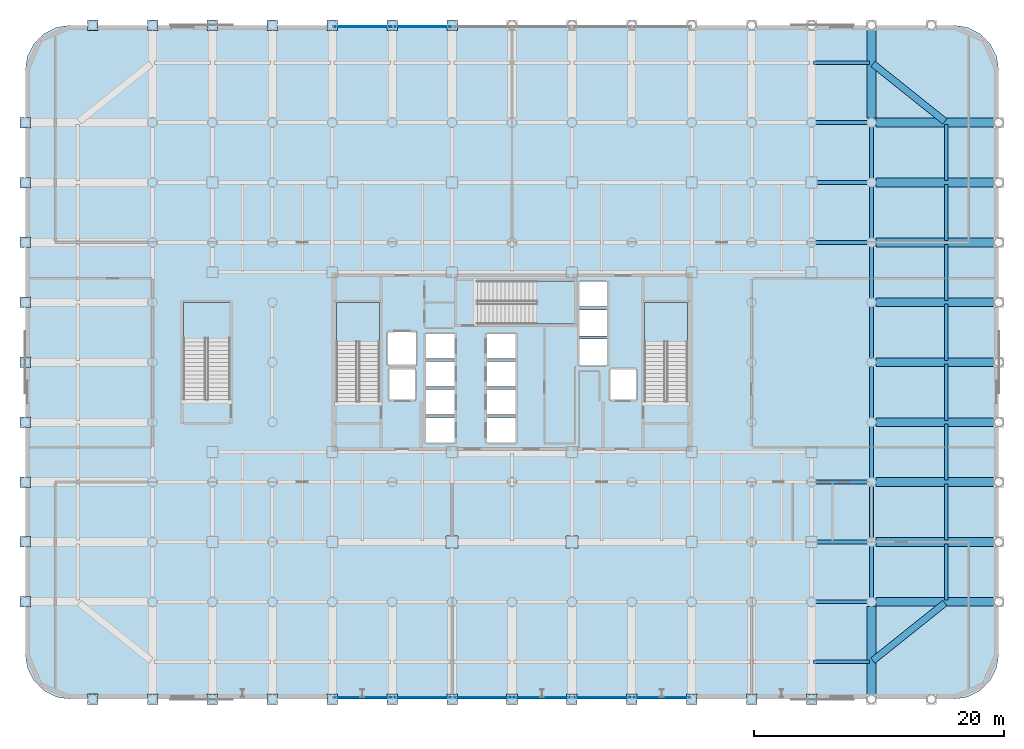
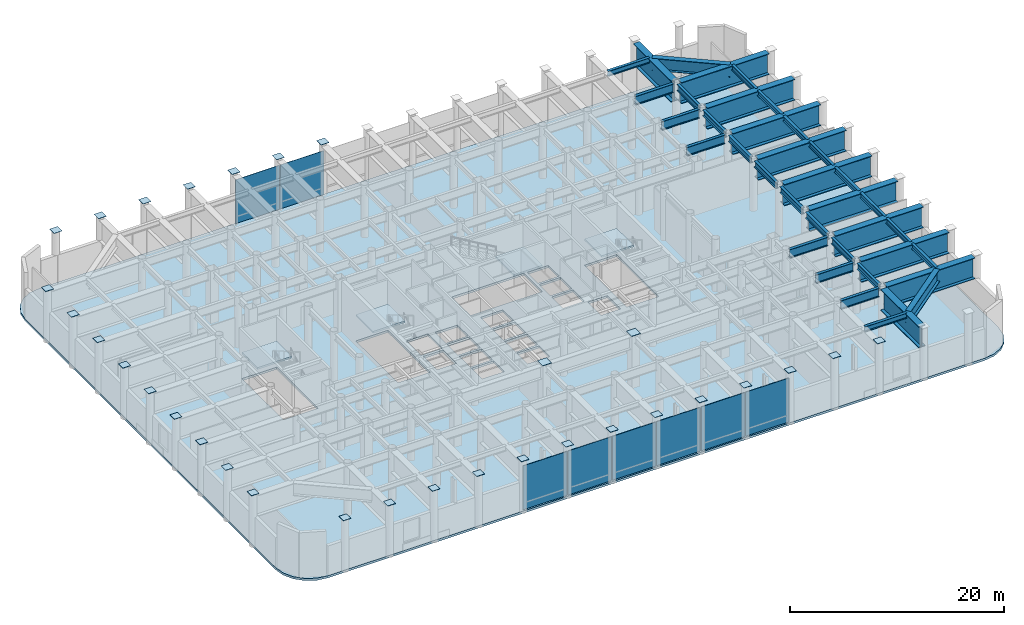
# One storey, part 14 of 26: 39 plates, 37 beams, 5 slabs, 8 elements without a shape of their own.
"""IFC4 building model written with IfcOpenShell, lengths in metres."""

import ifcopenshell
import ifcopenshell.guid

model = None  # the IFC model being written
_history = None  # IfcOwnerHistory: only IFC2X3 demands one
_inside = {}  # id of a spatial element -> (the spatial element, [elements in it])
_under = {}  # id of a project, library or spatial element -> (it, [spatial elements below it])
_declared = {}  # id of a project -> (the project, [libraries it declares])
_typed = {}  # id of a type object -> (the type object, [elements of that type])
_made_of = {}  # id of a material, layer set ... -> (it, [elements and type objects made of it])


def new_model(schema):
    """Start an empty IFC model of exactly this schema.

    Asked for "IFC4X3", IfcOpenShell would pick the latest addendum, in which some entities
    have other attributes; the version numbers below select the first issue.
    IFC2X3 requires an IfcOwnerHistory on every rooted entity: one is made here for all.
    """
    global model, _history
    if schema == "IFC4X3":
        model = ifcopenshell.file(schema_version=(4, 3, 0, 0))
    else:
        model = ifcopenshell.file(schema=schema)
    _inside.clear()
    _under.clear()
    _declared.clear()
    _typed.clear()
    _made_of.clear()
    _history = None
    if model.schema == "IFC2X3":
        org = make("IfcOrganization", Name="unknown")
        user = make(
            "IfcPersonAndOrganization",
            ThePerson=make("IfcPerson", FamilyName="unknown"),
            TheOrganization=org,
        )
        app = make(
            "IfcApplication",
            ApplicationDeveloper=org,
            Version="unknown",
            ApplicationFullName="unknown",
            ApplicationIdentifier="unknown",
        )
        _history = make(
            "IfcOwnerHistory",
            OwningUser=user,
            OwningApplication=app,
            ChangeAction="ADDED",
            CreationDate=0,
        )
    return model


def make(cls, **values):
    """One entity of the class cls with the attributes given. An attribute that is None is left unset."""
    return model.create_entity(
        cls, **{name: value for name, value in values.items() if value is not None}
    )


def rooted(cls, **values):
    """An entity with a GlobalId (a new one), such as an element, a storey or a relation."""
    return make(cls, GlobalId=ifcopenshell.guid.new(), OwnerHistory=_history, **values)


def si_unit(unit_type, name, prefix=None):
    """IfcSIUnit, for example si_unit("LENGTHUNIT", "METRE", prefix="MILLI")."""
    return make("IfcSIUnit", UnitType=unit_type, Prefix=prefix, Name=name)


def assignment(units):
    """IfcUnitAssignment: the units of a project."""
    return None if units is None else make("IfcUnitAssignment", Units=units)


def point(xyz):
    """IfcCartesianPoint."""
    return None if xyz is None else make("IfcCartesianPoint", Coordinates=xyz)


def direction(xyz):
    """IfcDirection."""
    return None if xyz is None else make("IfcDirection", DirectionRatios=xyz)


def frame(location, z_axis=None, x_axis=None):
    """IfcAxis2Placement3D, a coordinate frame: its origin and axes. An axis left out is left unset."""
    return make(
        "IfcAxis2Placement3D",
        Location=point(location),
        Axis=direction(z_axis),
        RefDirection=direction(x_axis),
    )


def frame_2d(location, x_axis=None):
    """IfcAxis2Placement2D, a coordinate frame in the plane: its origin and x axis."""
    return make(
        "IfcAxis2Placement2D", Location=point(location), RefDirection=direction(x_axis)
    )


def origin():
    """The frame at (0, 0, 0) with its axes left unset."""
    return frame((0.0, 0.0, 0.0))


def origin_2d():
    """The frame at (0, 0) in the plane with its x axis left unset."""
    return frame_2d((0.0, 0.0))


def place(relative_to, where):
    """IfcLocalPlacement: puts the frame where relative to a parent placement (None: the world)."""
    return make(
        "IfcLocalPlacement", PlacementRelTo=relative_to, RelativePlacement=where
    )


def context(
    kind, dimensions, precision=None, world=None, true_north=None, identifier=None
):
    """IfcGeometricRepresentationContext, for example the 3D "Model" context."""
    return make(
        "IfcGeometricRepresentationContext",
        ContextIdentifier=identifier,
        ContextType=kind,
        CoordinateSpaceDimension=dimensions,
        Precision=precision,
        WorldCoordinateSystem=world,
        TrueNorth=true_north,
    )


def subcontext(parent, identifier, kind, view, scale=None):
    """IfcGeometricRepresentationSubContext, for example "Body" below "Model"."""
    return make(
        "IfcGeometricRepresentationSubContext",
        ContextIdentifier=identifier,
        ContextType=kind,
        ParentContext=parent,
        TargetScale=scale,
        TargetView=view,
    )


def project(units=None, contexts=None):
    """IfcProject with its units and contexts."""
    return rooted(
        "IfcProject",
        Name="project",
        RepresentationContexts=contexts,
        UnitsInContext=assignment(units),
    )


def spatial(cls, under=None, at=None, **own):
    """A site, building, storey or space (cls), placed at a placement, below another one or the project."""
    s = rooted(cls, ObjectPlacement=at, **own)
    if under is not None:
        _under.setdefault(under.id(), (under, []))[1].append(s)
    return s


def polyline(points):
    """IfcPolyline through the points."""
    return make("IfcPolyline", Points=[point(p) for p in points])


def profile(cls, at=None, kind="AREA", **sizes):
    """A parametric profile (cls). Its sizes go by their IFC names, for example OverallWidth=200.0."""
    return make(cls, ProfileType=kind, Position=at, **sizes)


def rectangle(**sizes):
    """IfcRectangleProfileDef."""
    return profile("IfcRectangleProfileDef", **sizes)


def i_section(**sizes):
    """IfcIShapeProfileDef."""
    return profile("IfcIShapeProfileDef", **sizes)


def outline(outer, holes=None, kind="AREA"):
    """IfcArbitraryClosedProfileDef: a profile drawn as a closed curve; with holes, ...WithVoids."""
    if holes is None:
        return make("IfcArbitraryClosedProfileDef", ProfileType=kind, OuterCurve=outer)
    return make(
        "IfcArbitraryProfileDefWithVoids",
        ProfileType=kind,
        OuterCurve=outer,
        InnerCurves=holes,
    )


def extrude(swept, where, along, depth):
    """IfcExtrudedAreaSolid: the profile swept, set in the frame where, extruded along a direction by depth."""
    return make(
        "IfcExtrudedAreaSolid",
        SweptArea=swept,
        Position=where,
        ExtrudedDirection=direction(along),
        Depth=depth,
    )


def shape(context_of_items, identifier, shape_type, items):
    """IfcShapeRepresentation: the items that make up one representation, for example the "Body"."""
    return make(
        "IfcShapeRepresentation",
        ContextOfItems=context_of_items,
        RepresentationIdentifier=identifier,
        RepresentationType=shape_type,
        Items=items,
    )


def material(Name=None, Category=None):
    """IfcMaterial."""
    return make("IfcMaterial", Name=Name, Category=Category)


def layer(
    of_material, thickness, ventilated=None, Name=None, Category=None, Priority=None
):
    """IfcMaterialLayer: one layer of a wall or slab, of a material (None: an air gap)."""
    return make(
        "IfcMaterialLayer",
        Material=of_material,
        LayerThickness=thickness,
        IsVentilated=ventilated,
        Name=Name,
        Category=Category,
        Priority=Priority,
    )


def layer_set(layers, Name=None):
    """IfcMaterialLayerSet."""
    return make("IfcMaterialLayerSet", MaterialLayers=layers, LayerSetName=Name)


def material_profile(
    of_material, cross_section, Name=None, Category=None, Priority=None
):
    """IfcMaterialProfile: a cross section and its material."""
    return make(
        "IfcMaterialProfile",
        Name=Name,
        Material=of_material,
        Profile=cross_section,
        Priority=Priority,
        Category=Category,
    )


def profile_set(profiles, Name=None, composite=None):
    """IfcMaterialProfileSet."""
    return make(
        "IfcMaterialProfileSet",
        Name=Name,
        MaterialProfiles=profiles,
        CompositeProfile=composite,
    )


def made_of(thing, what):
    """Note that an element or type object is made of a material, layer set ...; save() writes the relation."""
    if what is not None:
        _made_of.setdefault(what.id(), (what, []))[1].append(thing)
    return thing


def type_object(cls, material=None, **own):
    """A type object (cls), such as IfcWallType, which elements share."""
    return made_of(rooted(cls, **own), material)


def element(
    cls,
    number,
    at=None,
    inside=None,
    cuts=None,
    type_object=None,
    material=None,
    context=None,
    identifier="Body",
    shape_type=None,
    held_by="IfcProductDefinitionShape",
    body=None,
    shapes=None,
    **own,
):
    """One element of the class cls, such as IfcWall. Its Tag is "e" and its number.

    at: its placement. inside: the storey or other place that contains it. cuts: it is an
    opening in that element (IfcRelVoidsElement). A single representation is given by context,
    identifier, shape_type and body (its items); several are given by shapes. held_by: the class
    of the entity that holds the representations. save() writes the other relations.
    """
    e = rooted(cls, Tag="e%d" % number, ObjectPlacement=at, **own)
    if body is not None:
        shapes = [shape(context, identifier, shape_type, body)]
    if shapes is not None:
        e.Representation = make(held_by, Representations=shapes)
    if inside is not None:
        _inside.setdefault(inside.id(), (inside, []))[1].append(e)
    if cuts is not None:
        rooted(
            "IfcRelVoidsElement", RelatingBuildingElement=cuts, RelatedOpeningElement=e
        )
    if type_object is not None:
        _typed.setdefault(type_object.id(), (type_object, []))[1].append(e)
    return made_of(e, material)


def aggregate(whole, parts):
    """IfcRelAggregates: a whole, such as a stair, and the parts it consists of."""
    return rooted("IfcRelAggregates", RelatingObject=whole, RelatedObjects=parts)


def save(model, path):
    """Write the relations noted so far, then the file.

    IfcRelAggregates (storeys below a building ...), IfcRelContainedInSpatialStructure (elements
    in a storey), IfcRelDefinesByType, IfcRelAssociatesMaterial and IfcRelDeclares: one each for
    every whole, place, type object, material and project.
    """
    for whole, parts in _under.values():
        aggregate(whole, parts)
    for where, things in _inside.values():
        rooted(
            "IfcRelContainedInSpatialStructure",
            RelatedElements=things,
            RelatingStructure=where,
        )
    for kind, things in _typed.values():
        rooted("IfcRelDefinesByType", RelatedObjects=things, RelatingType=kind)
    for what, things in _made_of.values():
        rooted("IfcRelAssociatesMaterial", RelatedObjects=things, RelatingMaterial=what)
    for by, libraries in _declared.values():
        rooted("IfcRelDeclares", RelatingContext=by, RelatedDefinitions=libraries)
    model.write(path)


model = new_model("IFC4")

# Units and contexts
model_context = context("Model", 3, precision=1e-05, world=origin(), true_north=direction((0.0, 1.0)))
body_context = subcontext(model_context, "Body", "Model", "MODEL_VIEW")
ifc_project = project(units=[si_unit("LENGTHUNIT", "METRE"), si_unit("AREAUNIT", "SQUARE_METRE"), si_unit("VOLUMEUNIT", "CUBIC_METRE"), si_unit("PLANEANGLEUNIT", "RADIAN"), si_unit("MASSUNIT", "GRAM", prefix="KILO")], contexts=[model_context])

# Site, building, storey
site_placement = place(None, origin())
site = spatial("IfcSite", under=ifc_project, at=site_placement, CompositionType="ELEMENT")
building_placement = place(site_placement, origin())
building = spatial("IfcBuilding", under=site, at=building_placement, Name="Kallvorn Hotel Tower", CompositionType="ELEMENT")
storey_placement = place(building_placement, frame((0.0, 0.0, 6.0)))
storey = spatial("IfcBuildingStorey", under=building, at=storey_placement, Name="L01", CompositionType="ELEMENT", Elevation=6.0)

# Beams
ifc_material_1 = material(Name="Structural steel S355JR", Category="steel")
ifc_material_profile_1 = material_profile(ifc_material_1, i_section(OverallWidth=0.300048828125, OverallDepth=1.0, WebThickness=0.01904296875, FlangeThickness=0.035888671875, at=origin_2d()), Name="HE 1000 B")
ifc_profile_set_1 = profile_set([ifc_material_profile_1], Name="Structural steel S355JR")
beam_type_1 = type_object("IfcBeamType", Name="BM_HE1000B", PredefinedType="BEAM", material=ifc_profile_set_1)
beam_1_placement = place(storey_placement, frame((24.35595703125, -19.199951171875, 5.280029296875), z_axis=(1.0, 0.0, 0.0), x_axis=(0.0, 1.0, 0.0)))
element("IfcBeam", 1, at=beam_1_placement, inside=storey, type_object=beam_type_1, Name="L02 Primary X-Girder 57", PredefinedType="BEAM", context=body_context, shape_type="SweptSolid", body=[
    extrude(i_section(OverallWidth=0.300048828125, OverallDepth=1.0, WebThickness=0.01904296875, FlangeThickness=0.035888671875, at=origin_2d()), origin(), (0.0, 0.0, 1.0), 4.088134765625),
])
beam_2_placement = place(storey_placement, frame((24.425048828125, -14.39990234375, 5.280029296875), z_axis=(1.0, 0.0, 0.0), x_axis=(0.0, 1.0, 0.0)))
element("IfcBeam", 2, at=beam_2_placement, inside=storey, type_object=beam_type_1, Name="L02 Primary X-Girder 68", PredefinedType="BEAM", context=body_context, shape_type="SweptSolid", body=[
    extrude(i_section(OverallWidth=0.300048828125, OverallDepth=1.0, WebThickness=0.01904296875, FlangeThickness=0.035888671875, at=origin_2d()), origin(), (0.0, 0.0, 1.0), 4.01904296875),
])
for number, where, z_axis, x_axis, name in (
    (3, (24.35595703125, -9.60009765625, 5.280029296875), (1.0, 0.0, 0.0), (0.0, 1.0, 0.0), "L02 Primary X-Girder 78"),
    (4, (24.35595703125, 9.60009765625, 5.280029296875), (1.0, 0.0, 0.0), (0.0, 1.0, 0.0), "L02 Primary X-Girder 97"),
):
    element("IfcBeam", number, at=place(storey_placement, frame(where, z_axis=z_axis, x_axis=x_axis)), inside=storey, type_object=beam_type_1, Name=name, PredefinedType="BEAM", context=body_context, shape_type="SweptSolid", body=[
        extrude(i_section(OverallWidth=0.300048828125, OverallDepth=1.0, WebThickness=0.01904296875, FlangeThickness=0.035888671875, at=origin_2d()), origin(), (0.0, 0.0, 1.0), 4.088134765625),
    ])
beam_3_placement = place(storey_placement, frame((24.425048828125, 14.39990234375, 5.280029296875), z_axis=(1.0, 0.0, 0.0), x_axis=(0.0, 1.0, 0.0)))
element("IfcBeam", 5, at=beam_3_placement, inside=storey, type_object=beam_type_1, Name="L02 Primary X-Girder 108", PredefinedType="BEAM", context=body_context, shape_type="SweptSolid", body=[
    extrude(i_section(OverallWidth=0.300048828125, OverallDepth=1.0, WebThickness=0.01904296875, FlangeThickness=0.035888671875, at=origin_2d()), origin(), (0.0, 0.0, 1.0), 4.01904296875),
])
beam_4_placement = place(storey_placement, frame((24.35595703125, 19.199951171875, 5.280029296875), z_axis=(1.0, 0.0, 0.0), x_axis=(0.0, 1.0, 0.0)))
element("IfcBeam", 6, at=beam_4_placement, inside=storey, type_object=beam_type_1, Name="L02 Primary X-Girder 122", PredefinedType="BEAM", context=body_context, shape_type="SweptSolid", body=[
    extrude(i_section(OverallWidth=0.300048828125, OverallDepth=1.0, WebThickness=0.01904296875, FlangeThickness=0.035888671875, at=origin_2d()), origin(), (0.0, 0.0, 1.0), 4.088134765625),
])
ifc_material_2 = material(Name="Structural steel S355JR", Category="steel")
ifc_material_profile_2 = material_profile(ifc_material_2, i_section(OverallWidth=0.300048828125, OverallDepth=0.60009765625, WebThickness=0.015380859375, FlangeThickness=0.030029296875, at=origin_2d()), Name="HE 600 B")
ifc_profile_set_2 = profile_set([ifc_material_profile_2], Name="Structural steel S355JR")
beam_type_2 = type_object("IfcBeamType", Name="BM_HE600B", PredefinedType="SPANDREL", material=ifc_profile_set_2)
for number, where, z_axis, x_axis, name in (
    (7, (24.14990234375, -24.0, 5.47998046875), (1.0, 0.0, 0.0), (0.0, 1.0, 0.0), "L02 Perimeter Spandrel 227"),
    (8, (24.14990234375, 24.0, 5.47998046875), (1.0, 0.0, 0.0), (0.0, 1.0, 0.0), "L02 Perimeter Spandrel 239"),
    (9, (34.800048828125, -19.050048828125, 5.47998046875), (0.0, 1.0, 0.0), (-1.0, 0.0, 0.0), "L02 Perimeter Spandrel 248"),
    (10, (34.800048828125, -14.25, 5.47998046875), (0.0, 1.0, 0.0), (-1.0, 0.0, 0.0), "L02 Perimeter Spandrel 249"),
    (11, (34.800048828125, -9.449951171875, 5.47998046875), (0.0, 1.0, 0.0), (-1.0, 0.0, 0.0), "L02 Perimeter Spandrel 250"),
    (12, (34.800048828125, -4.64990234375, 5.47998046875), (0.0, 1.0, 0.0), (-1.0, 0.0, 0.0), "L02 Perimeter Spandrel 251"),
    (13, (34.800048828125, 0.14990234375, 5.47998046875), (0.0, 1.0, 0.0), (-1.0, 0.0, 0.0), "L02 Perimeter Spandrel 252"),
    (14, (34.800048828125, 4.949951171875, 5.47998046875), (0.0, 1.0, 0.0), (-1.0, 0.0, 0.0), "L02 Perimeter Spandrel 253"),
    (15, (34.800048828125, 9.75, 5.47998046875), (0.0, 1.0, 0.0), (-1.0, 0.0, 0.0), "L02 Perimeter Spandrel 254"),
    (16, (34.800048828125, 14.550048828125, 5.47998046875), (0.0, 1.0, 0.0), (-1.0, 0.0, 0.0), "L02 Perimeter Spandrel 255"),
):
    element("IfcBeam", number, at=place(storey_placement, frame(where, z_axis=z_axis, x_axis=x_axis)), inside=storey, type_object=beam_type_2, Name=name, PredefinedType="SPANDREL", context=body_context, shape_type="SweptSolid", body=[
        extrude(i_section(OverallWidth=0.300048828125, OverallDepth=0.60009765625, WebThickness=0.015380859375, FlangeThickness=0.030029296875, at=origin_2d()), origin(), (0.0, 0.0, 1.0), 4.5),
    ])
ifc_material_3 = material(Name="Structural steel S355JR", Category="steel")
ifc_material_profile_3 = material_profile(ifc_material_3, i_section(OverallWidth=0.300048828125, OverallDepth=0.699951171875, WebThickness=0.01708984375, FlangeThickness=0.031982421875, at=origin_2d()), Name="HE 700 B")
ifc_profile_set_3 = profile_set([ifc_material_profile_3], Name="Structural steel S355JR")
beam_type_3 = type_object("IfcBeamType", Name="BM_HE700B", PredefinedType="BEAM", material=ifc_profile_set_3)
for number, where, z_axis, x_axis, name in (
    (17, (28.800048828125, -18.843994140625, 5.429931640625), (0.0, 1.0, 0.0), (-1.0, 0.0, 0.0), "L02 Primary Y-Girder 207"),
    (18, (28.800048828125, -14.0439453125, 5.429931640625), (0.0, 1.0, 0.0), (-1.0, 0.0, 0.0), "L02 Primary Y-Girder 208"),
    (19, (28.800048828125, -9.243896484375, 5.429931640625), (0.0, 1.0, 0.0), (-1.0, 0.0, 0.0), "L02 Primary Y-Girder 209"),
):
    element("IfcBeam", number, at=place(storey_placement, frame(where, z_axis=z_axis, x_axis=x_axis)), inside=storey, type_object=beam_type_3, Name=name, PredefinedType="BEAM", context=body_context, shape_type="SweptSolid", body=[
        extrude(i_section(OverallWidth=0.300048828125, OverallDepth=0.699951171875, WebThickness=0.01708984375, FlangeThickness=0.031982421875, at=origin_2d()), origin(), (0.0, 0.0, 1.0), 4.087890625),
    ])
for number, where, z_axis, x_axis, name in (
    (20, (28.800048828125, -4.444091796875, 5.429931640625), (0.0, 1.0, 0.0), (-1.0, 0.0, 0.0), "L02 Primary Y-Girder 210"),
    (21, (28.800048828125, 0.35595703125, 5.429931640625), (0.0, 1.0, 0.0), (-1.0, 0.0, 0.0), "L02 Primary Y-Girder 211"),
):
    element("IfcBeam", number, at=place(storey_placement, frame(where, z_axis=z_axis, x_axis=x_axis)), inside=storey, type_object=beam_type_3, Name=name, PredefinedType="BEAM", context=body_context, shape_type="SweptSolid", body=[
        extrude(i_section(OverallWidth=0.300048828125, OverallDepth=0.699951171875, WebThickness=0.01708984375, FlangeThickness=0.031982421875, at=origin_2d()), origin(), (0.0, 0.0, 1.0), 4.088134765625),
    ])
for number, where, z_axis, x_axis, name in (
    (22, (28.800048828125, 5.156005859375, 5.429931640625), (0.0, 1.0, 0.0), (-1.0, 0.0, 0.0), "L02 Primary Y-Girder 212"),
    (23, (28.800048828125, 9.9560546875, 5.429931640625), (0.0, 1.0, 0.0), (-1.0, 0.0, 0.0), "L02 Primary Y-Girder 213"),
    (24, (28.800048828125, 14.756103515625, 5.429931640625), (0.0, 1.0, 0.0), (-1.0, 0.0, 0.0), "L02 Primary Y-Girder 214"),
):
    element("IfcBeam", number, at=place(storey_placement, frame(where, z_axis=z_axis, x_axis=x_axis)), inside=storey, type_object=beam_type_3, Name=name, PredefinedType="BEAM", context=body_context, shape_type="SweptSolid", body=[
        extrude(i_section(OverallWidth=0.300048828125, OverallDepth=0.699951171875, WebThickness=0.01708984375, FlangeThickness=0.031982421875, at=origin_2d()), origin(), (0.0, 0.0, 1.0), 4.087890625),
    ])
ifc_material_4 = material(Name="Structural steel S355JR", Category="steel")
ifc_material_profile_4 = material_profile(ifc_material_4, i_section(OverallWidth=0.550048828125, OverallDepth=1.39990234375, WebThickness=0.02490234375, FlangeThickness=0.044921875, at=origin_2d()), Name="PG 1400x550x25x45")
ifc_profile_set_4 = profile_set([ifc_material_profile_4], Name="Structural steel S355JR")
beam_type_4 = type_object("IfcBeamType", Name="BM_PG_1400", PredefinedType="BEAM", material=ifc_profile_set_4)
for number, where, z_axis, x_axis, name in (
    (25, (34.682861328125, -19.293701171875, 5.080078125), (-0.780878486692, -0.624682950801, 0.0), (0.624682950801, -0.780878486692, 0.0), "L02 Rounded Corner Tie Beam 258"),
    (26, (34.682861328125, 19.293701171875, 5.080078125), (-0.780878486692, 0.624682950801, 0.0), (-0.624682950801, -0.780878486692, 0.0), "L02 Rounded Corner Tie Beam 259"),
):
    element("IfcBeam", number, at=place(storey_placement, frame(where, z_axis=z_axis, x_axis=x_axis)), inside=storey, type_object=beam_type_4, Name=name, PredefinedType="BEAM", context=body_context, shape_type="SweptSolid", body=[
        extrude(i_section(OverallWidth=0.550048828125, OverallDepth=1.39990234375, WebThickness=0.02490234375, FlangeThickness=0.044921875, at=origin_2d()), origin(), (0.0, 0.0, 1.0), 7.3837890625),
    ])
ifc_material_5 = material(Name="Structural steel S355JR", Category="steel")
ifc_material_profile_5 = material_profile(ifc_material_5, i_section(OverallWidth=0.699951171875, OverallDepth=2.39990234375, WebThickness=0.031982421875, FlangeThickness=0.06005859375, at=origin_2d()), Name="PG 2400x700x32x60")
ifc_profile_set_5 = profile_set([ifc_material_profile_5], Name="Structural steel S355JR")
beam_type_5 = type_object("IfcBeamType", Name="BM_PG_2400", PredefinedType="BEAM", material=ifc_profile_set_5)
for number, where, z_axis, x_axis, name in (
    (27, (28.800048828125, -26.62890625, 4.580078125), (0.0, 1.0, 0.0), (-1.0, 0.0, 0.0), "L02 Setback Transfer Girder 34"),
    (28, (28.800048828125, 19.571044921875, 4.580078125), (0.0, 1.0, 0.0), (-1.0, 0.0, 0.0), "L02 Setback Transfer Girder 35"),
):
    element("IfcBeam", number, at=place(storey_placement, frame(where, z_axis=z_axis, x_axis=x_axis)), inside=storey, type_object=beam_type_5, Name=name, PredefinedType="BEAM", context=body_context, shape_type="SweptSolid", body=[
        extrude(i_section(OverallWidth=0.699951171875, OverallDepth=2.39990234375, WebThickness=0.031982421875, FlangeThickness=0.06005859375, at=origin_2d()), origin(), (0.0, 0.0, 1.0), 7.057861328125),
    ])
for number, where, z_axis, x_axis, name in (
    (29, (29.1708984375, -19.199951171875, 4.580078125), (1.0, 0.0, 0.0), (0.0, 1.0, 0.0), "L02 Setback Transfer Girder 36"),
    (30, (29.1708984375, -14.39990234375, 4.580078125), (1.0, 0.0, 0.0), (0.0, 1.0, 0.0), "L02 Setback Transfer Girder 37"),
    (31, (29.1708984375, -9.60009765625, 4.580078125), (1.0, 0.0, 0.0), (0.0, 1.0, 0.0), "L02 Setback Transfer Girder 38"),
    (32, (29.1708984375, -4.800048828125, 4.580078125), (1.0, 0.0, 0.0), (0.0, 1.0, 0.0), "L02 Setback Transfer Girder 39"),
    (33, (29.1708984375, 0.0, 4.580078125), (1.0, 0.0, 0.0), (0.0, 1.0, 0.0), "L02 Setback Transfer Girder 40"),
    (34, (29.1708984375, 4.800048828125, 4.580078125), (1.0, 0.0, 0.0), (0.0, 1.0, 0.0), "L02 Setback Transfer Girder 41"),
    (35, (29.1708984375, 9.60009765625, 4.580078125), (1.0, 0.0, 0.0), (0.0, 1.0, 0.0), "L02 Setback Transfer Girder 42"),
    (36, (29.1708984375, 14.39990234375, 4.580078125), (1.0, 0.0, 0.0), (0.0, 1.0, 0.0), "L02 Setback Transfer Girder 43"),
    (37, (29.1708984375, 19.199951171875, 4.580078125), (1.0, 0.0, 0.0), (0.0, 1.0, 0.0), "L02 Setback Transfer Girder 44"),
):
    element("IfcBeam", number, at=place(storey_placement, frame(where, z_axis=z_axis, x_axis=x_axis)), inside=storey, type_object=beam_type_5, Name=name, PredefinedType="BEAM", context=body_context, shape_type="SweptSolid", body=[
        extrude(i_section(OverallWidth=0.699951171875, OverallDepth=2.39990234375, WebThickness=0.031982421875, FlangeThickness=0.06005859375, at=origin_2d()), origin(), (0.0, 0.0, 1.0), 9.4580078125),
    ])

# Curtain wall, plates
ifc_material_6 = material(Name="Thermally broken black-anodised aluminium AA 6063-T6", Category="aluminium")
ifc_layer_1 = layer(ifc_material_6, 0.239990234375)
ifc_layer_set_1 = layer_set([ifc_layer_1], Name="CW_SYS_1_PODIUM_LOW")
curtain_wall_type = type_object("IfcCurtainWallType", Name="CW_SYS_1_PODIUM_LOW", PredefinedType="USERDEFINED", material=ifc_layer_set_1)
curtain_wall_1_placement = place(storey_placement, origin())
curtain_wall_1 = element("IfcCurtainWall", 38, at=curtain_wall_1_placement, inside=storey, type_object=curtain_wall_type, Name="L01 Dark-Glass Curtain Wall CW-L01-S1", ObjectType="UNITISED CURTAIN WALL", PredefinedType="USERDEFINED")
ifc_material_7 = material(Name="Double-glazed low-e solar-control dark glass", Category="glass")
ifc_layer_2 = layer(ifc_material_7, 0.043212890625)
ifc_layer_set_2 = layer_set([ifc_layer_2], Name="CW_SYS_1_PODIUM_LOW_PANEL")
plate_type_1 = type_object("IfcPlateType", Name="CW_SYS_1_PODIUM_LOW_PANEL", PredefinedType="CURTAIN_PANEL", material=ifc_layer_set_2)
plate_1_placement = place(storey_placement, frame((-11.949951171875, -26.8798828125, 0.06005859375), z_axis=(0.0, 0.0, 1.0), x_axis=(1.0, 0.0, 0.0)))
plate_1 = element("IfcPlate", 39, at=plate_1_placement, type_object=plate_type_1, Name="CW-L01-S1 Vision Glass Panel 00", PredefinedType="CURTAIN_PANEL", context=body_context, shape_type="SweptSolid", body=[
    extrude(rectangle(XDim=4.739990234375, YDim=0.043212890625, at=origin_2d()), origin(), (0.0, 0.0, 1.0), 5.010009765625),
])
plate_2_placement = place(storey_placement, frame((-7.14990234375, -26.8798828125, 0.06005859375), z_axis=(0.0, 0.0, 1.0), x_axis=(1.0, 0.0, 0.0)))
plate_2 = element("IfcPlate", 40, at=plate_2_placement, type_object=plate_type_1, Name="CW-L01-S1 Vision Glass Panel 01", PredefinedType="CURTAIN_PANEL", context=body_context, shape_type="SweptSolid", body=[
    extrude(rectangle(XDim=4.739990234375, YDim=0.043212890625, at=origin_2d()), origin(), (0.0, 0.0, 1.0), 5.010009765625),
])
aggregate(curtain_wall_1, [plate_1, plate_2])

curtain_wall_2_placement = place(storey_placement, origin())
curtain_wall_2 = element("IfcCurtainWall", 41, at=curtain_wall_2_placement, inside=storey, type_object=curtain_wall_type, Name="L01 Dark-Glass Curtain Wall CW-L01-N1", ObjectType="UNITISED CURTAIN WALL", PredefinedType="USERDEFINED")
plate_3_placement = place(storey_placement, frame((-11.949951171875, 26.8798828125, 0.06005859375), z_axis=(0.0, 0.0, 1.0), x_axis=(1.0, 0.0, 0.0)))
plate_3 = element("IfcPlate", 42, at=plate_3_placement, type_object=plate_type_1, Name="CW-L01-N1 Vision Glass Panel 00", PredefinedType="CURTAIN_PANEL", context=body_context, shape_type="SweptSolid", body=[
    extrude(rectangle(XDim=4.739990234375, YDim=0.043212890625, at=origin_2d()), origin(), (0.0, 0.0, 1.0), 5.010009765625),
])
plate_4_placement = place(storey_placement, frame((-7.14990234375, 26.8798828125, 0.06005859375), z_axis=(0.0, 0.0, 1.0), x_axis=(1.0, 0.0, 0.0)))
plate_4 = element("IfcPlate", 43, at=plate_4_placement, type_object=plate_type_1, Name="CW-L01-N1 Vision Glass Panel 01", PredefinedType="CURTAIN_PANEL", context=body_context, shape_type="SweptSolid", body=[
    extrude(rectangle(XDim=4.739990234375, YDim=0.043212890625, at=origin_2d()), origin(), (0.0, 0.0, 1.0), 5.010009765625),
])
aggregate(curtain_wall_2, [plate_3, plate_4])

curtain_wall_3_placement = place(storey_placement, origin())
curtain_wall_3 = element("IfcCurtainWall", 44, at=curtain_wall_3_placement, inside=storey, type_object=curtain_wall_type, Name="L01 Dark-Glass Curtain Wall CW-L01-S2", ObjectType="UNITISED CURTAIN WALL", PredefinedType="USERDEFINED")
plate_5_placement = place(storey_placement, frame((-2.375, -26.8798828125, 0.06005859375), z_axis=(0.0, 0.0, 1.0), x_axis=(1.0, 0.0, 0.0)))
plate_5 = element("IfcPlate", 45, at=plate_5_placement, type_object=plate_type_1, Name="CW-L01-S2 Vision Glass Panel 00", PredefinedType="CURTAIN_PANEL", context=body_context, shape_type="SweptSolid", body=[
    extrude(rectangle(XDim=4.68994140625, YDim=0.043212890625, at=origin_2d()), origin(), (0.0, 0.0, 1.0), 5.010009765625),
])
plate_6_placement = place(storey_placement, frame((2.375, -26.8798828125, 0.06005859375), z_axis=(0.0, 0.0, 1.0), x_axis=(1.0, 0.0, 0.0)))
plate_6 = element("IfcPlate", 46, at=plate_6_placement, type_object=plate_type_1, Name="CW-L01-S2 Vision Glass Panel 01", PredefinedType="CURTAIN_PANEL", context=body_context, shape_type="SweptSolid", body=[
    extrude(rectangle(XDim=4.68994140625, YDim=0.043212890625, at=origin_2d()), origin(), (0.0, 0.0, 1.0), 5.010009765625),
])
aggregate(curtain_wall_3, [plate_5, plate_6])

curtain_wall_4_placement = place(storey_placement, origin())
curtain_wall_4 = element("IfcCurtainWall", 47, at=curtain_wall_4_placement, inside=storey, type_object=curtain_wall_type, Name="L01 Dark-Glass Curtain Wall CW-L01-S3", ObjectType="UNITISED CURTAIN WALL", PredefinedType="USERDEFINED")
plate_7_placement = place(storey_placement, frame((7.22509765625, -26.8798828125, 0.06005859375), z_axis=(0.0, 0.0, 1.0), x_axis=(1.0, 0.0, 0.0)))
plate_7 = element("IfcPlate", 48, at=plate_7_placement, type_object=plate_type_1, Name="CW-L01-S3 Vision Glass Panel 00", PredefinedType="CURTAIN_PANEL", context=body_context, shape_type="SweptSolid", body=[
    extrude(rectangle(XDim=4.68994140625, YDim=0.043212890625, at=origin_2d()), origin(), (0.0, 0.0, 1.0), 5.010009765625),
])
plate_8_placement = place(storey_placement, frame((11.97509765625, -26.8798828125, 0.06005859375), z_axis=(0.0, 0.0, 1.0), x_axis=(1.0, 0.0, 0.0)))
plate_8 = element("IfcPlate", 49, at=plate_8_placement, type_object=plate_type_1, Name="CW-L01-S3 Vision Glass Panel 01", PredefinedType="CURTAIN_PANEL", context=body_context, shape_type="SweptSolid", body=[
    extrude(rectangle(XDim=4.68994140625, YDim=0.043212890625, at=origin_2d()), origin(), (0.0, 0.0, 1.0), 5.010009765625),
])
aggregate(curtain_wall_4, [plate_7, plate_8])

# Plates
ifc_material_8 = material(Name="Structural steel S355JR", Category="steel")
ifc_layer_3 = layer(ifc_material_8, 0.030029296875)
ifc_layer_set_3 = layer_set([ifc_layer_3], Name="PLT_CAP_30")
plate_type_2 = type_object("IfcPlateType", Name="PLT_CAP_30", PredefinedType="SHEET", material=ifc_layer_set_3)
for number, where, z_axis, x_axis, name in (
    (50, (-39.0, -19.199951171875, 6.0), (0.0, 0.0, 1.0), (1.0, 0.0, 0.0), "L01 Hollow Column Top End Cap Plate 0001"),
    (51, (-39.0, -14.39990234375, 6.0), (0.0, 0.0, 1.0), (1.0, 0.0, 0.0), "L01 Hollow Column Top End Cap Plate 0002"),
    (52, (-39.0, -9.60009765625, 6.0), (0.0, 0.0, 1.0), (1.0, 0.0, 0.0), "L01 Hollow Column Top End Cap Plate 0003"),
    (53, (-39.0, -4.800048828125, 6.0), (0.0, 0.0, 1.0), (1.0, 0.0, 0.0), "L01 Hollow Column Top End Cap Plate 0004"),
    (54, (-39.0, 0.0, 6.0), (0.0, 0.0, 1.0), (1.0, 0.0, 0.0), "L01 Hollow Column Top End Cap Plate 0005"),
    (55, (-39.0, 4.800048828125, 6.0), (0.0, 0.0, 1.0), (1.0, 0.0, 0.0), "L01 Hollow Column Top End Cap Plate 0006"),
    (56, (-39.0, 9.60009765625, 6.0), (0.0, 0.0, 1.0), (1.0, 0.0, 0.0), "L01 Hollow Column Top End Cap Plate 0007"),
    (57, (-39.0, 14.39990234375, 6.0), (0.0, 0.0, 1.0), (1.0, 0.0, 0.0), "L01 Hollow Column Top End Cap Plate 0008"),
    (58, (-39.0, 19.199951171875, 6.0), (0.0, 0.0, 1.0), (1.0, 0.0, 0.0), "L01 Hollow Column Top End Cap Plate 0009"),
    (59, (-33.60009765625, -27.0, 6.0), (0.0, 0.0, 1.0), (1.0, 0.0, 0.0), "L01 Hollow Column Top End Cap Plate 0010"),
    (60, (-33.60009765625, 27.0, 6.0), (0.0, 0.0, 1.0), (1.0, 0.0, 0.0), "L01 Hollow Column Top End Cap Plate 0011"),
    (61, (-28.800048828125, -27.0, 6.0), (0.0, 0.0, 1.0), (1.0, 0.0, 0.0), "L01 Hollow Column Top End Cap Plate 0012"),
    (62, (-28.800048828125, 27.0, 6.0), (0.0, 0.0, 1.0), (1.0, 0.0, 0.0), "L01 Hollow Column Top End Cap Plate 0013"),
    (63, (-24.0, -27.0, 6.0), (0.0, 0.0, 1.0), (1.0, 0.0, 0.0), "L01 Hollow Column Top End Cap Plate 0014"),
    (64, (-24.0, 27.0, 6.0), (0.0, 0.0, 1.0), (1.0, 0.0, 0.0), "L01 Hollow Column Top End Cap Plate 0015"),
    (65, (-19.199951171875, -27.0, 6.0), (0.0, 0.0, 1.0), (1.0, 0.0, 0.0), "L01 Hollow Column Top End Cap Plate 0016"),
    (66, (-19.199951171875, 27.0, 6.0), (0.0, 0.0, 1.0), (1.0, 0.0, 0.0), "L01 Hollow Column Top End Cap Plate 0017"),
    (67, (-14.39990234375, -27.0, 6.0), (0.0, 0.0, 1.0), (1.0, 0.0, 0.0), "L01 Hollow Column Top End Cap Plate 0018"),
    (68, (-14.39990234375, 27.0, 6.0), (0.0, 0.0, 1.0), (1.0, 0.0, 0.0), "L01 Hollow Column Top End Cap Plate 0019"),
    (69, (-9.60009765625, -27.0, 6.0), (0.0, 0.0, 1.0), (1.0, 0.0, 0.0), "L01 Hollow Column Top End Cap Plate 0020"),
    (70, (-9.60009765625, 27.0, 6.0), (0.0, 0.0, 1.0), (1.0, 0.0, 0.0), "L01 Hollow Column Top End Cap Plate 0021"),
    (71, (-4.800048828125, -27.0, 6.0), (0.0, 0.0, 1.0), (1.0, 0.0, 0.0), "L01 Hollow Column Top End Cap Plate 0022"),
):
    element("IfcPlate", number, at=place(storey_placement, frame(where, z_axis=z_axis, x_axis=x_axis)), inside=storey, type_object=plate_type_2, Name=name, PredefinedType="SHEET", context=body_context, shape_type="SweptSolid", body=[
        extrude(rectangle(XDim=0.842041015625, YDim=0.842041015625, at=origin_2d()), origin(), (0.0, 0.0, 1.0), 0.030029296875),
    ])
plate_9_placement = place(storey_placement, frame((-4.800048828125, -14.39990234375, 6.0), z_axis=(0.0, 0.0, 1.0), x_axis=(1.0, 0.0, 0.0)))
element("IfcPlate", 72, at=plate_9_placement, inside=storey, type_object=plate_type_2, Name="L01 Hollow Column Top End Cap Plate 0023", PredefinedType="SHEET", context=body_context, shape_type="SweptSolid", body=[
    extrude(rectangle(XDim=0.97998046875, YDim=0.97998046875, at=origin_2d()), origin(), (0.0, 0.0, 1.0), 0.030029296875),
])
for number, where, z_axis, x_axis, name in (
    (73, (-4.800048828125, 27.0, 6.0), (0.0, 0.0, 1.0), (1.0, 0.0, 0.0), "L01 Hollow Column Top End Cap Plate 0024"),
    (74, (0.0, -27.0, 6.0), (0.0, 0.0, 1.0), (1.0, 0.0, 0.0), "L01 Hollow Column Top End Cap Plate 0025"),
    (75, (4.800048828125, -27.0, 6.0), (0.0, 0.0, 1.0), (1.0, 0.0, 0.0), "L01 Hollow Column Top End Cap Plate 0027"),
):
    element("IfcPlate", number, at=place(storey_placement, frame(where, z_axis=z_axis, x_axis=x_axis)), inside=storey, type_object=plate_type_2, Name=name, PredefinedType="SHEET", context=body_context, shape_type="SweptSolid", body=[
        extrude(rectangle(XDim=0.842041015625, YDim=0.842041015625, at=origin_2d()), origin(), (0.0, 0.0, 1.0), 0.030029296875),
    ])
plate_10_placement = place(storey_placement, frame((4.800048828125, -14.39990234375, 6.0), z_axis=(0.0, 0.0, 1.0), x_axis=(1.0, 0.0, 0.0)))
element("IfcPlate", 76, at=plate_10_placement, inside=storey, type_object=plate_type_2, Name="L01 Hollow Column Top End Cap Plate 0028", PredefinedType="SHEET", context=body_context, shape_type="SweptSolid", body=[
    extrude(rectangle(XDim=0.97998046875, YDim=0.97998046875, at=origin_2d()), origin(), (0.0, 0.0, 1.0), 0.030029296875),
])
for number, where, z_axis, x_axis, name in (
    (77, (9.60009765625, -27.0, 6.0), (0.0, 0.0, 1.0), (1.0, 0.0, 0.0), "L01 Hollow Column Top End Cap Plate 0030"),
    (78, (14.39990234375, -27.0, 6.0), (0.0, 0.0, 1.0), (1.0, 0.0, 0.0), "L01 Hollow Column Top End Cap Plate 0032"),
    (79, (19.199951171875, -27.0, 6.0), (0.0, 0.0, 1.0), (1.0, 0.0, 0.0), "L01 Hollow Column Top End Cap Plate 0034"),
    (80, (24.0, -27.0, 6.0), (0.0, 0.0, 1.0), (1.0, 0.0, 0.0), "L01 Hollow Column Top End Cap Plate 0036"),
):
    element("IfcPlate", number, at=place(storey_placement, frame(where, z_axis=z_axis, x_axis=x_axis)), inside=storey, type_object=plate_type_2, Name=name, PredefinedType="SHEET", context=body_context, shape_type="SweptSolid", body=[
        extrude(rectangle(XDim=0.842041015625, YDim=0.842041015625, at=origin_2d()), origin(), (0.0, 0.0, 1.0), 0.030029296875),
    ])

# Stair, slab
ifc_material_9 = material(Name="Precast concrete C40/50", Category="concrete")
stair_type_1 = type_object("IfcStairType", Name="STR_CORE_DOGLEG", PredefinedType="HALF_TURN_STAIR", material=ifc_material_9)
stair_1_placement = place(storey_placement, origin())
stair_1 = element("IfcStair", 81, at=stair_1_placement, inside=storey, type_object=stair_type_1, Name="L01 Exit stair ST1", PredefinedType="HALF_TURN_STAIR")
ifc_material_10 = material(Name="Precast concrete C40/50", Category="concrete")
ifc_layer_4 = layer(ifc_material_10, 0.179931640625)
ifc_layer_set_4 = layer_set([ifc_layer_4], Name="SLB_LANDING_180")
slab_type_1 = type_object("IfcSlabType", Name="SLB_LANDING_180", PredefinedType="LANDING", material=ifc_layer_set_4)
slab_1_placement = place(storey_placement, frame((0.0, 0.0, 2.800048828125)))
slab_1 = element("IfcSlab", 82, at=slab_1_placement, type_object=slab_type_1, Name="ST1 landing 1", PredefinedType="LANDING", context=body_context, shape_type="SweptSolid", body=[
    extrude(outline(polyline([(-10.60009765625, 1.610107421875), (-10.60009765625, 4.800048828125), (-14.06005859375, 4.800048828125), (-14.06005859375, 1.610107421875), (-10.60009765625, 1.610107421875)])), origin(), (0.0, 0.0, 1.0), 0.199951171875),
])
aggregate(stair_1, [slab_1])

stair_2_placement = place(storey_placement, origin())
stair_2 = element("IfcStair", 83, at=stair_2_placement, inside=storey, type_object=stair_type_1, Name="L01 Exit stair ST2", PredefinedType="HALF_TURN_STAIR")
slab_2_placement = place(storey_placement, frame((0.0, 0.0, 2.800048828125)))
slab_2 = element("IfcSlab", 84, at=slab_2_placement, type_object=slab_type_1, Name="ST2 landing 1", PredefinedType="LANDING", context=body_context, shape_type="SweptSolid", body=[
    extrude(outline(polyline([(14.06005859375, 1.610107421875), (14.06005859375, 4.800048828125), (10.60009765625, 4.800048828125), (10.60009765625, 1.610107421875), (14.06005859375, 1.610107421875)])), origin(), (0.0, 0.0, 1.0), 0.199951171875),
])
aggregate(stair_2, [slab_2])

stair_3_placement = place(storey_placement, origin())
stair_3 = element("IfcStair", 85, at=stair_3_placement, inside=storey, type_object=stair_type_1, Name="L01 Exit stair ST3", PredefinedType="HALF_TURN_STAIR")
slab_3_placement = place(storey_placement, frame((0.0, 0.0, 2.800048828125)))
slab_3 = element("IfcSlab", 86, at=slab_3_placement, type_object=slab_type_1, Name="ST3 landing 1", PredefinedType="LANDING", context=body_context, shape_type="SweptSolid", body=[
    extrude(outline(polyline([(1.9599609375, 3.050048828125), (5.050048828125, 3.050048828125), (5.050048828125, 6.510009765625), (1.9599609375, 6.510009765625), (1.9599609375, 3.050048828125)])), origin(), (0.0, 0.0, 1.0), 0.199951171875),
])
aggregate(stair_3, [slab_3])

ifc_material_11 = material(Name="Precast concrete C40/50", Category="concrete")
stair_type_2 = type_object("IfcStairType", Name="STR_POD_DOGLEG", PredefinedType="HALF_TURN_STAIR", material=ifc_material_11)
stair_4_placement = place(storey_placement, origin())
stair_4 = element("IfcStair", 87, at=stair_4_placement, inside=storey, type_object=stair_type_2, Name="L01 Exit stair ST4", PredefinedType="HALF_TURN_STAIR")
slab_4_placement = place(storey_placement, frame((0.0, 0.0, 2.800048828125)))
slab_4 = element("IfcSlab", 88, at=slab_4_placement, type_object=slab_type_1, Name="ST4 landing 1", PredefinedType="LANDING", context=body_context, shape_type="SweptSolid", body=[
    extrude(outline(polyline([(-22.60009765625, 1.89990234375), (-22.60009765625, 4.800048828125), (-26.340087890625, 4.800048828125), (-26.340087890625, 1.89990234375), (-22.60009765625, 1.89990234375)])), origin(), (0.0, 0.0, 1.0), 0.199951171875),
])
aggregate(stair_4, [slab_4])

# Slab
ifc_material_12 = material(Name="Concrete C40/50", Category="concrete")
ifc_layer_5 = layer(ifc_material_12, 0.25)
ifc_layer_set_5 = layer_set([ifc_layer_5], Name="SLB_PODIUM_250")
slab_type_2 = type_object("IfcSlabType", Name="SLB_PODIUM_250", PredefinedType="FLOOR", material=ifc_layer_set_5)
slab_5_placement = place(storey_placement, frame((0.0, 0.0, -0.25)))
element("IfcSlab", 89, at=slab_5_placement, inside=storey, type_object=slab_type_2, Name="L01 Structural Floor Slab", PredefinedType="FLOOR", context=body_context, shape_type="SweptSolid", body=[
    extrude(outline(polyline([(35.39990234375, -27.0), (36.512451171875, -26.82373046875), (37.51611328125, -26.3125), (38.3125, -25.51611328125), (38.82373046875, -24.512451171875), (39.0, -23.39990234375), (39.0, 23.39990234375), (38.82373046875, 24.512451171875), (38.3125, 25.51611328125), (37.51611328125, 26.3125), (36.512451171875, 26.82373046875), (35.39990234375, 27.0), (-35.39990234375, 27.0), (-36.512451171875, 26.82373046875), (-37.51611328125, 26.3125), (-38.3125, 25.51611328125), (-38.82373046875, 24.512451171875), (-39.0, 23.39990234375), (-39.0, -23.39990234375), (-38.82373046875, -24.512451171875), (-38.3125, -25.51611328125), (-37.51611328125, -26.3125), (-36.512451171875, -26.82373046875), (-35.39990234375, -27.0), (35.39990234375, -27.0)]), holes=[polyline([(-10.60009765625, -3.070068359375), (-10.60009765625, 4.800048828125), (-14.06005859375, 4.800048828125), (-14.06005859375, -3.070068359375), (-10.60009765625, -3.070068359375)]), polyline([(14.06005859375, -3.070068359375), (14.06005859375, 4.800048828125), (10.60009765625, 4.800048828125), (10.60009765625, -3.070068359375), (14.06005859375, -3.070068359375)]), polyline([(-2.719970703125, 3.050048828125), (5.050048828125, 3.050048828125), (5.050048828125, 6.510009765625), (-2.719970703125, 6.510009765625), (-2.719970703125, 3.050048828125)]), polyline([(-22.60009765625, -2.929931640625), (-22.60009765625, 4.800048828125), (-26.340087890625, 4.800048828125), (-26.340087890625, -2.929931640625), (-22.60009765625, -2.929931640625)]), polyline([(-6.949951171875, -6.449951171875), (-4.550048828125, -6.449951171875), (-4.550048828125, -4.449951171875), (-6.949951171875, -4.449951171875), (-6.949951171875, -6.449951171875)]), polyline([(-6.949951171875, -4.199951171875), (-4.550048828125, -4.199951171875), (-4.550048828125, -2.199951171875), (-6.949951171875, -2.199951171875), (-6.949951171875, -4.199951171875)]), polyline([(-6.949951171875, -1.949951171875), (-4.550048828125, -1.949951171875), (-4.550048828125, 0.050048828125), (-6.949951171875, 0.050048828125), (-6.949951171875, -1.949951171875)]), polyline([(-6.949951171875, 0.300048828125), (-4.550048828125, 0.300048828125), (-4.550048828125, 2.300048828125), (-6.949951171875, 2.300048828125), (-6.949951171875, 0.300048828125)]), polyline([(-2.050048828125, -6.449951171875), (0.35009765625, -6.449951171875), (0.35009765625, -4.449951171875), (-2.050048828125, -4.449951171875), (-2.050048828125, -6.449951171875)]), polyline([(-2.050048828125, -4.199951171875), (0.35009765625, -4.199951171875), (0.35009765625, -2.199951171875), (-2.050048828125, -2.199951171875), (-2.050048828125, -4.199951171875)]), polyline([(-2.050048828125, -1.949951171875), (0.35009765625, -1.949951171875), (0.35009765625, 0.050048828125), (-2.050048828125, 0.050048828125), (-2.050048828125, -1.949951171875)]), polyline([(-2.050048828125, 0.300048828125), (0.35009765625, 0.300048828125), (0.35009765625, 2.300048828125), (-2.050048828125, 2.300048828125), (-2.050048828125, 0.300048828125)]), polyline([(5.35009765625, -0.25), (7.64990234375, -0.25), (7.64990234375, 1.85009765625), (5.35009765625, 1.85009765625), (5.35009765625, -0.25)]), polyline([(5.35009765625, 2.10009765625), (7.64990234375, 2.10009765625), (7.64990234375, 4.199951171875), (5.35009765625, 4.199951171875), (5.35009765625, 2.10009765625)]), polyline([(5.35009765625, 4.449951171875), (7.64990234375, 4.449951171875), (7.64990234375, 6.449951171875), (5.35009765625, 6.449951171875), (5.35009765625, 4.449951171875)]), polyline([(-9.85009765625, -3.050048828125), (-7.75, -3.050048828125), (-7.75, -0.550048828125), (-9.85009765625, -0.550048828125), (-9.85009765625, -3.050048828125)]), polyline([(7.85009765625, -3.050048828125), (9.949951171875, -3.050048828125), (9.949951171875, -0.550048828125), (7.85009765625, -0.550048828125), (7.85009765625, -3.050048828125)]), polyline([(-9.949951171875, -0.25), (-7.64990234375, -0.25), (-7.64990234375, 2.449951171875), (-9.949951171875, 2.449951171875), (-9.949951171875, -0.25)])]), origin(), (0.0, 0.0, 1.0), 0.25),
])

save(model, "model.ifc")
